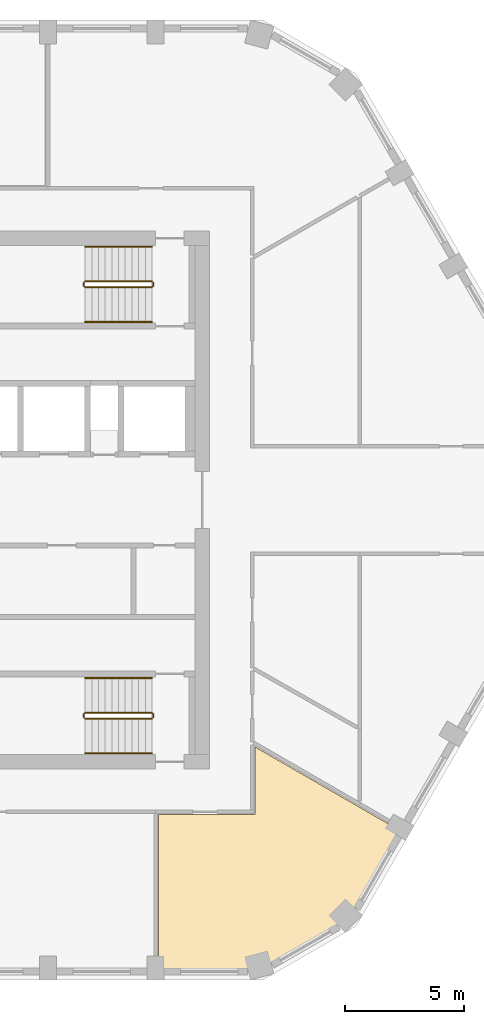
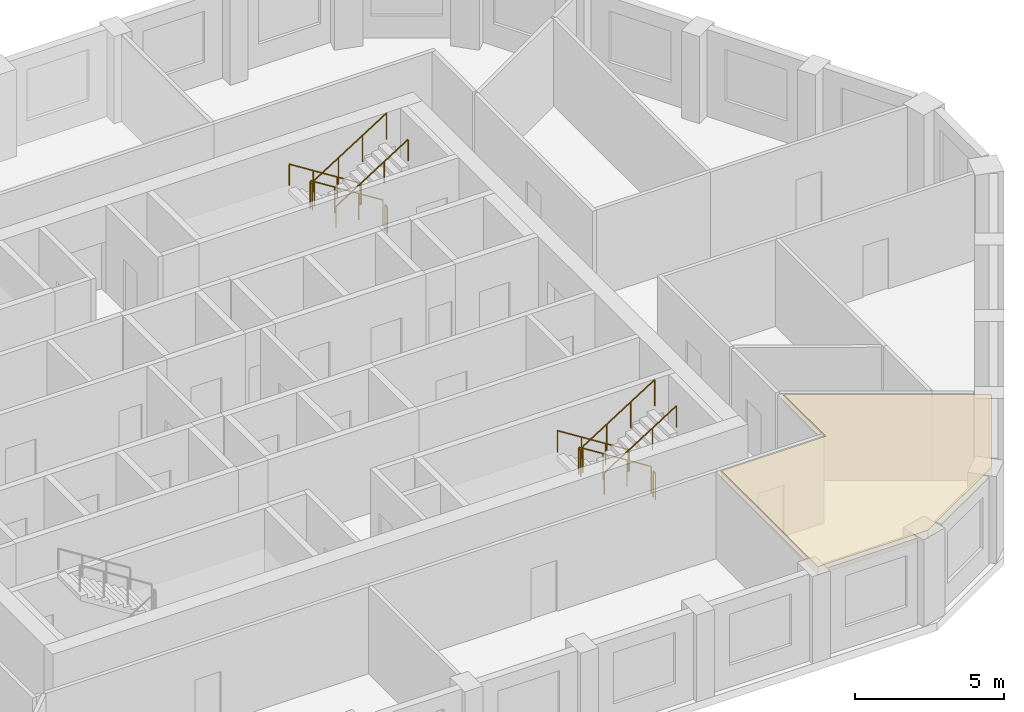
# One storey, part 9 of 10: 12 railings, 1 covering.
"""IFC4 building model written with IfcOpenShell, lengths in metres."""

from ifc_helpers import new_model, si_unit, direction, frame, origin, origin_2d, place, context, subcontext, project, spatial, polyline, circle, outline, extrude, material, layer, layer_set, type_object, element, save


model = new_model("IFC4")

# Units and contexts
model_context = context("Model", 3, precision=1e-05, world=origin(), true_north=direction((0.0, 1.0)))
body_context = subcontext(model_context, "Body", "Model", "MODEL_VIEW")
ifc_project = project(units=[si_unit("LENGTHUNIT", "METRE"), si_unit("AREAUNIT", "SQUARE_METRE"), si_unit("VOLUMEUNIT", "CUBIC_METRE"), si_unit("PLANEANGLEUNIT", "RADIAN"), si_unit("MASSUNIT", "GRAM", prefix="KILO")], contexts=[model_context])

# Site, building, storey
site_placement = place(None, origin())
site = spatial("IfcSite", under=ifc_project, at=site_placement, CompositionType="ELEMENT")
building_placement = place(site_placement, origin())
building = spatial("IfcBuilding", under=site, at=building_placement, Name="Dhurran Vertical Campus", CompositionType="ELEMENT")
storey_placement = place(building_placement, frame((0.0, 0.0, 254.699951171875)))
storey = spatial("IfcBuildingStorey", under=building, at=storey_placement, Name="L63", CompositionType="ELEMENT", Elevation=254.699951171875)

# Railings
ifc_material_1 = material(Name="Stainless steel balustrade", Category="steel")
railing_type_1 = type_object("IfcRailingType", Name="co-RL-GUARD-1100", PredefinedType="GUARDRAIL", material=ifc_material_1)
railing_1_placement = place(storey_placement, frame((11.10009765625, 9.14990234375, 0.17724609375)))
element("IfcRailing", 1, at=railing_1_placement, inside=storey, type_object=railing_type_1, Name="L63 ST2 stair guard 1", PredefinedType="GUARDRAIL", context=body_context, shape_type="SweptSolid", body=[
    extrude(circle(Radius=0.02392578125, at=origin_2d()), frame((0.0, 0.0, 1.076171875), z_axis=(-0.844908973607, 0.0, 0.534910110503), x_axis=(0.0, -1.0, 0.0)), (0.0, 0.0, 1.0), 3.31396484375),
    extrude(circle(Radius=0.02099609375, at=origin_2d()), origin(), (0.0, 0.0, 1.0), 1.052001953125),
    extrude(circle(Radius=0.02099609375, at=origin_2d()), frame((-0.933349609375, 0.0, 0.5908203125)), (0.0, 0.0, 1.0), 1.052001953125),
    extrude(circle(Radius=0.02099609375, at=origin_2d()), frame((-1.86669921875, 0.0, 1.181884765625)), (0.0, 0.0, 1.0), 1.052001953125),
    extrude(circle(Radius=0.02099609375, at=origin_2d()), frame((-2.800048828125, 0.0, 1.772705078125)), (0.0, 0.0, 1.0), 1.052001953125),
])
railing_2_placement = place(storey_placement, frame((8.25, 9.10009765625, 1.949951171875)))
element("IfcRailing", 2, at=railing_2_placement, inside=storey, type_object=railing_type_1, Name="L63 ST2 stair guard 2", PredefinedType="GUARDRAIL", context=body_context, shape_type="SweptSolid", body=[
    extrude(circle(Radius=0.02392578125, at=origin_2d()), frame((0.0, 0.0, 1.076171875), z_axis=(0.0, -1.0, 0.0), x_axis=(1.0, 0.0, 0.0)), (0.0, 0.0, 1.0), 0.150146484375),
    extrude(circle(Radius=0.02099609375, at=origin_2d()), origin(), (0.0, 0.0, 1.0), 1.052001953125),
    extrude(circle(Radius=0.02099609375, at=origin_2d()), frame((0.0, -0.150146484375, 0.0)), (0.0, 0.0, 1.0), 1.052001953125),
])
railing_3_placement = place(storey_placement, frame((8.300048828125, 8.89990234375, 2.12744140625)))
element("IfcRailing", 3, at=railing_3_placement, inside=storey, type_object=railing_type_1, Name="L63 ST2 stair guard 3", PredefinedType="GUARDRAIL", context=body_context, shape_type="SweptSolid", body=[
    extrude(circle(Radius=0.02392578125, at=origin_2d()), frame((0.0, 0.0, 1.076171875), z_axis=(0.844908973607, 0.0, 0.534910110503), x_axis=(0.0, 1.0, 0.0)), (0.0, 0.0, 1.0), 3.31396484375),
    extrude(circle(Radius=0.02099609375, at=origin_2d()), origin(), (0.0, 0.0, 1.0), 1.052001953125),
    extrude(circle(Radius=0.02099609375, at=origin_2d()), frame((0.933349609375, 0.0, 0.5908203125)), (0.0, 0.0, 1.0), 1.052001953125),
    extrude(circle(Radius=0.02099609375, at=origin_2d()), frame((1.86669921875, 0.0, 1.181884765625)), (0.0, 0.0, 1.0), 1.052001953125),
    extrude(circle(Radius=0.02099609375, at=origin_2d()), frame((2.800048828125, 0.0, 1.772705078125)), (0.0, 0.0, 1.0), 1.052001953125),
])
railing_4_placement = place(storey_placement, frame((11.14990234375, 9.10009765625, 0.0)))
element("IfcRailing", 4, at=railing_4_placement, inside=storey, type_object=railing_type_1, Name="L63 ST2 stair guard 4", PredefinedType="GUARDRAIL", context=body_context, shape_type="SweptSolid", body=[
    extrude(circle(Radius=0.02392578125, at=origin_2d()), frame((0.0, 0.0, 1.076171875), z_axis=(0.0, -1.0, 0.0), x_axis=(1.0, 0.0, 0.0)), (0.0, 0.0, 1.0), 0.150146484375),
    extrude(circle(Radius=0.02099609375, at=origin_2d()), origin(), (0.0, 0.0, 1.0), 1.052001953125),
    extrude(circle(Radius=0.02099609375, at=origin_2d()), frame((0.0, -0.150146484375, 0.0)), (0.0, 0.0, 1.0), 1.052001953125),
])
railing_5_placement = place(storey_placement, frame((11.10009765625, -8.89990234375, 0.17724609375)))
element("IfcRailing", 5, at=railing_5_placement, inside=storey, type_object=railing_type_1, Name="L63 ST4 stair guard 1", PredefinedType="GUARDRAIL", context=body_context, shape_type="SweptSolid", body=[
    extrude(circle(Radius=0.02392578125, at=origin_2d()), frame((0.0, 0.0, 1.076171875), z_axis=(-0.844908973607, 0.0, 0.534910110503), x_axis=(0.0, -1.0, 0.0)), (0.0, 0.0, 1.0), 3.31396484375),
    extrude(circle(Radius=0.02099609375, at=origin_2d()), origin(), (0.0, 0.0, 1.0), 1.052001953125),
    extrude(circle(Radius=0.02099609375, at=origin_2d()), frame((-0.933349609375, 0.0, 0.5908203125)), (0.0, 0.0, 1.0), 1.052001953125),
    extrude(circle(Radius=0.02099609375, at=origin_2d()), frame((-1.86669921875, 0.0, 1.181884765625)), (0.0, 0.0, 1.0), 1.052001953125),
    extrude(circle(Radius=0.02099609375, at=origin_2d()), frame((-2.800048828125, 0.0, 1.772705078125)), (0.0, 0.0, 1.0), 1.052001953125),
])
railing_6_placement = place(storey_placement, frame((8.25, -8.949951171875, 1.949951171875)))
element("IfcRailing", 6, at=railing_6_placement, inside=storey, type_object=railing_type_1, Name="L63 ST4 stair guard 2", PredefinedType="GUARDRAIL", context=body_context, shape_type="SweptSolid", body=[
    extrude(circle(Radius=0.02392578125, at=origin_2d()), frame((0.0, 0.0, 1.076171875), z_axis=(0.0, -1.0, 0.0), x_axis=(1.0, 0.0, 0.0)), (0.0, 0.0, 1.0), 0.150146484375),
    extrude(circle(Radius=0.02099609375, at=origin_2d()), origin(), (0.0, 0.0, 1.0), 1.052001953125),
    extrude(circle(Radius=0.02099609375, at=origin_2d()), frame((0.0, -0.150146484375, 0.0)), (0.0, 0.0, 1.0), 1.052001953125),
])
railing_7_placement = place(storey_placement, frame((8.300048828125, -9.14990234375, 2.12744140625)))
element("IfcRailing", 7, at=railing_7_placement, inside=storey, type_object=railing_type_1, Name="L63 ST4 stair guard 3", PredefinedType="GUARDRAIL", context=body_context, shape_type="SweptSolid", body=[
    extrude(circle(Radius=0.02392578125, at=origin_2d()), frame((0.0, 0.0, 1.076171875), z_axis=(0.844908973607, 0.0, 0.534910110503), x_axis=(0.0, 1.0, 0.0)), (0.0, 0.0, 1.0), 3.31396484375),
    extrude(circle(Radius=0.02099609375, at=origin_2d()), origin(), (0.0, 0.0, 1.0), 1.052001953125),
    extrude(circle(Radius=0.02099609375, at=origin_2d()), frame((0.933349609375, 0.0, 0.5908203125)), (0.0, 0.0, 1.0), 1.052001953125),
    extrude(circle(Radius=0.02099609375, at=origin_2d()), frame((1.86669921875, 0.0, 1.181884765625)), (0.0, 0.0, 1.0), 1.052001953125),
    extrude(circle(Radius=0.02099609375, at=origin_2d()), frame((2.800048828125, 0.0, 1.772705078125)), (0.0, 0.0, 1.0), 1.052001953125),
])
railing_8_placement = place(storey_placement, frame((11.14990234375, -8.949951171875, 0.0)))
element("IfcRailing", 8, at=railing_8_placement, inside=storey, type_object=railing_type_1, Name="L63 ST4 stair guard 4", PredefinedType="GUARDRAIL", context=body_context, shape_type="SweptSolid", body=[
    extrude(circle(Radius=0.02392578125, at=origin_2d()), frame((0.0, 0.0, 1.076171875), z_axis=(0.0, -1.0, 0.0), x_axis=(1.0, 0.0, 0.0)), (0.0, 0.0, 1.0), 0.150146484375),
    extrude(circle(Radius=0.02099609375, at=origin_2d()), origin(), (0.0, 0.0, 1.0), 1.052001953125),
    extrude(circle(Radius=0.02099609375, at=origin_2d()), frame((0.0, -0.150146484375, 0.0)), (0.0, 0.0, 1.0), 1.052001953125),
])
ifc_material_2 = material(Name="Stainless steel handrail", Category="steel")
railing_type_2 = type_object("IfcRailingType", Name="co-RL-HANDRAIL-900", PredefinedType="HANDRAIL", material=ifc_material_2)
railing_9_placement = place(storey_placement, frame((11.10009765625, 10.60009765625, 0.17724609375)))
element("IfcRailing", 9, at=railing_9_placement, inside=storey, type_object=railing_type_2, Name="L63 ST2 stair handrail 1", PredefinedType="HANDRAIL", context=body_context, shape_type="SweptSolid", body=[
    extrude(circle(Radius=0.02392578125, at=origin_2d()), frame((0.0, 0.0, 0.8759765625), z_axis=(-0.844908973607, 0.0, 0.534910110503), x_axis=(0.0, -1.0, 0.0)), (0.0, 0.0, 1.0), 3.31396484375),
    extrude(circle(Radius=0.02099609375, at=origin_2d()), origin(), (0.0, 0.0, 1.0), 0.851806640625),
    extrude(circle(Radius=0.02099609375, at=origin_2d()), frame((-0.933349609375, 0.0, 0.5908203125)), (0.0, 0.0, 1.0), 0.851806640625),
    extrude(circle(Radius=0.02099609375, at=origin_2d()), frame((-1.86669921875, 0.0, 1.181884765625)), (0.0, 0.0, 1.0), 0.851806640625),
    extrude(circle(Radius=0.02099609375, at=origin_2d()), frame((-2.800048828125, 0.0, 1.772705078125)), (0.0, 0.0, 1.0), 0.851806640625),
])
railing_10_placement = place(storey_placement, frame((8.300048828125, 7.449951171875, 2.12744140625)))
element("IfcRailing", 10, at=railing_10_placement, inside=storey, type_object=railing_type_2, Name="L63 ST2 stair handrail 2", PredefinedType="HANDRAIL", context=body_context, shape_type="SweptSolid", body=[
    extrude(circle(Radius=0.02392578125, at=origin_2d()), frame((0.0, 0.0, 0.8759765625), z_axis=(0.844908973607, 0.0, 0.534910110503), x_axis=(0.0, 1.0, 0.0)), (0.0, 0.0, 1.0), 3.31396484375),
    extrude(circle(Radius=0.02099609375, at=origin_2d()), origin(), (0.0, 0.0, 1.0), 0.851806640625),
    extrude(circle(Radius=0.02099609375, at=origin_2d()), frame((0.933349609375, 0.0, 0.5908203125)), (0.0, 0.0, 1.0), 0.851806640625),
    extrude(circle(Radius=0.02099609375, at=origin_2d()), frame((1.86669921875, 0.0, 1.181884765625)), (0.0, 0.0, 1.0), 0.851806640625),
    extrude(circle(Radius=0.02099609375, at=origin_2d()), frame((2.800048828125, 0.0, 1.772705078125)), (0.0, 0.0, 1.0), 0.851806640625),
])
railing_11_placement = place(storey_placement, frame((11.10009765625, -7.449951171875, 0.17724609375)))
element("IfcRailing", 11, at=railing_11_placement, inside=storey, type_object=railing_type_2, Name="L63 ST4 stair handrail 1", PredefinedType="HANDRAIL", context=body_context, shape_type="SweptSolid", body=[
    extrude(circle(Radius=0.02392578125, at=origin_2d()), frame((0.0, 0.0, 0.8759765625), z_axis=(-0.844908973607, 0.0, 0.534910110503), x_axis=(0.0, -1.0, 0.0)), (0.0, 0.0, 1.0), 3.31396484375),
    extrude(circle(Radius=0.02099609375, at=origin_2d()), origin(), (0.0, 0.0, 1.0), 0.851806640625),
    extrude(circle(Radius=0.02099609375, at=origin_2d()), frame((-0.933349609375, 0.0, 0.5908203125)), (0.0, 0.0, 1.0), 0.851806640625),
    extrude(circle(Radius=0.02099609375, at=origin_2d()), frame((-1.86669921875, 0.0, 1.181884765625)), (0.0, 0.0, 1.0), 0.851806640625),
    extrude(circle(Radius=0.02099609375, at=origin_2d()), frame((-2.800048828125, 0.0, 1.772705078125)), (0.0, 0.0, 1.0), 0.851806640625),
])
railing_12_placement = place(storey_placement, frame((8.300048828125, -10.60009765625, 2.12744140625)))
element("IfcRailing", 12, at=railing_12_placement, inside=storey, type_object=railing_type_2, Name="L63 ST4 stair handrail 2", PredefinedType="HANDRAIL", context=body_context, shape_type="SweptSolid", body=[
    extrude(circle(Radius=0.02392578125, at=origin_2d()), frame((0.0, 0.0, 0.8759765625), z_axis=(0.844908973607, 0.0, 0.534910110503), x_axis=(0.0, 1.0, 0.0)), (0.0, 0.0, 1.0), 3.31396484375),
    extrude(circle(Radius=0.02099609375, at=origin_2d()), origin(), (0.0, 0.0, 1.0), 0.851806640625),
    extrude(circle(Radius=0.02099609375, at=origin_2d()), frame((0.933349609375, 0.0, 0.5908203125)), (0.0, 0.0, 1.0), 0.851806640625),
    extrude(circle(Radius=0.02099609375, at=origin_2d()), frame((1.86669921875, 0.0, 1.181884765625)), (0.0, 0.0, 1.0), 0.851806640625),
    extrude(circle(Radius=0.02099609375, at=origin_2d()), frame((2.800048828125, 0.0, 1.772705078125)), (0.0, 0.0, 1.0), 0.851806640625),
])

# Covering
ifc_material_3 = material(Name="Mineral fibre ceiling tiles on suspended grid")
ifc_layer = layer(ifc_material_3, 0.35009765625)
ifc_layer_set = layer_set([ifc_layer], Name="Mineral fibre ceiling tiles on suspended grid")
covering_type = type_object("IfcCoveringType", Name="fl-CE-350 suspended ceiling", PredefinedType="CEILING", material=ifc_layer_set)
covering_placement = place(storey_placement, frame((0.0, 0.0, 3.22509765625)))
element("IfcCovering", 13, at=covering_placement, inside=storey, type_object=covering_type, Name="Ceiling 63-10", PredefinedType="CEILING", context=body_context, shape_type="SweptSolid", body=[
    extrude(outline(polyline([(21.472900390625, -13.8349609375), (19.339111328125, -17.531005859375), (15.637939453125, -19.66796875), (11.3701171875, -19.66796875), (11.3701171875, -13.169921875), (15.419921875, -13.169921875), (15.419921875, -10.340087890625), (21.472900390625, -13.8349609375)])), origin(), (0.0, 0.0, 1.0), 0.349853515625),
])

save(model, "model.ifc")
